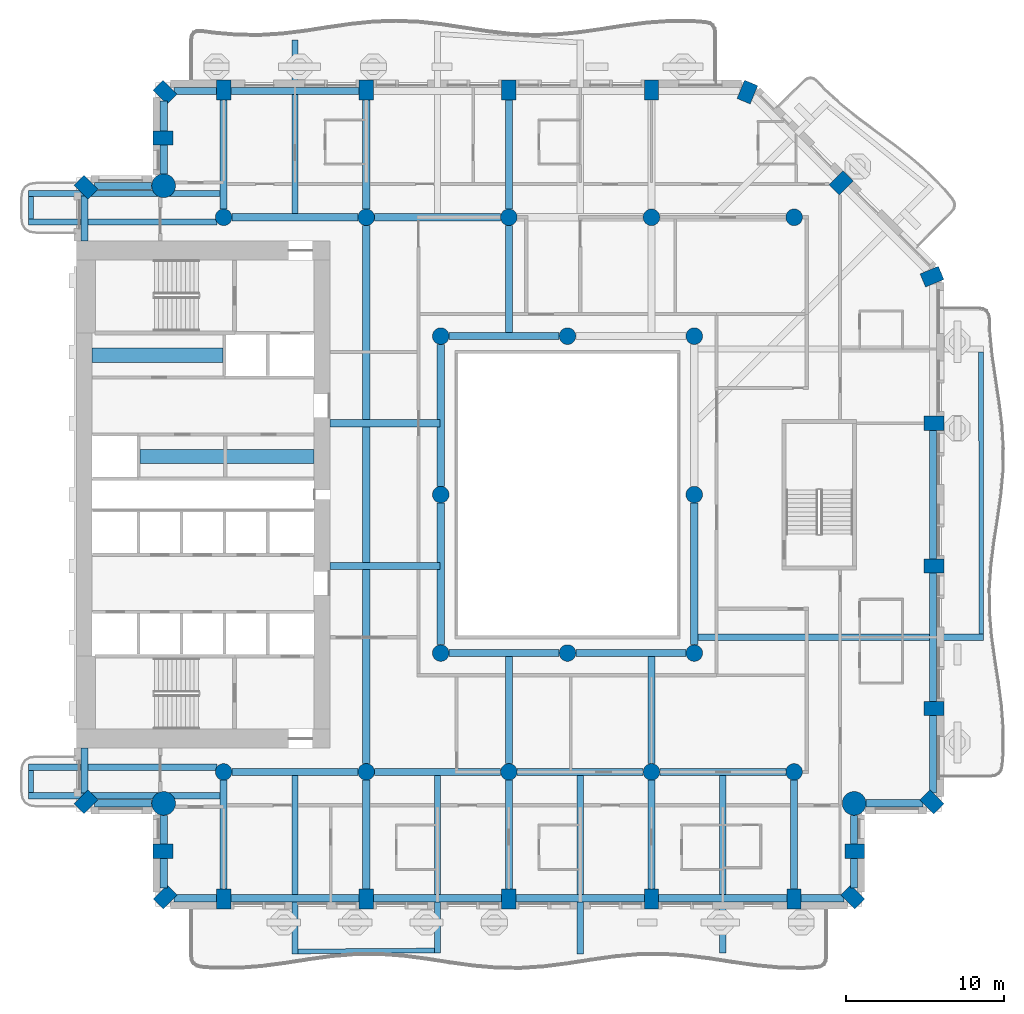
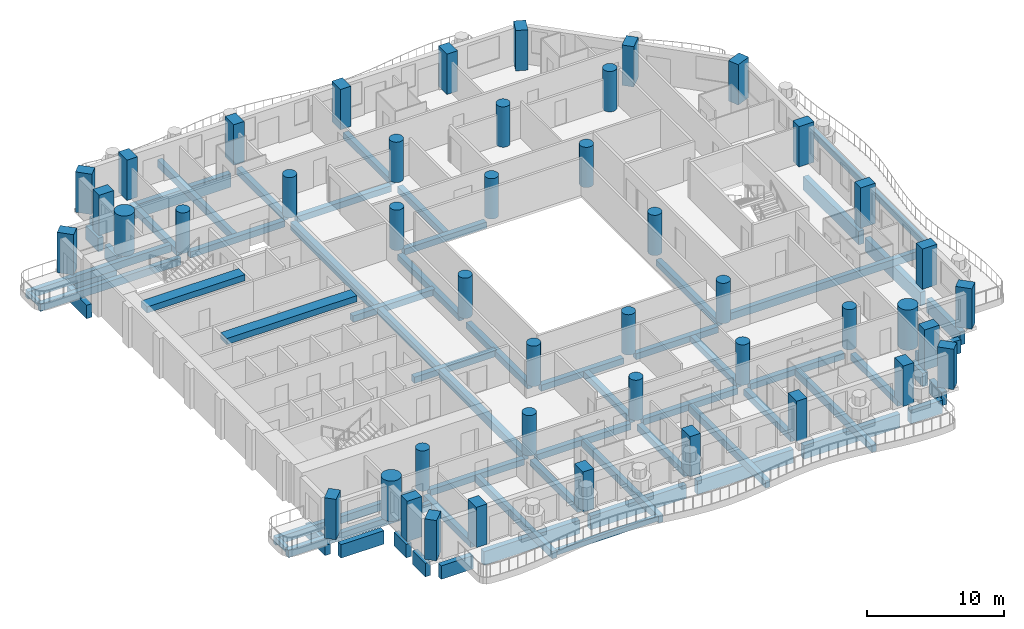
# One storey, part 1 of 19: 66 beams, 45 columns.
"""IFC4 building model written with IfcOpenShell, lengths in metres."""

from ifc_helpers import new_model, si_unit, direction, frame, origin, origin_2d, place, context, subcontext, project, spatial, rectangle, circle, extrude, material, material_profile, profile_set, type_object, element, save


model = new_model("IFC4")

# Units and contexts
model_context = context("Model", 3, precision=1e-05, world=origin(), true_north=direction((0.0, 1.0)))
body_context = subcontext(model_context, "Body", "Model", "MODEL_VIEW")
ifc_project = project(units=[si_unit("LENGTHUNIT", "METRE"), si_unit("AREAUNIT", "SQUARE_METRE"), si_unit("VOLUMEUNIT", "CUBIC_METRE"), si_unit("PLANEANGLEUNIT", "RADIAN"), si_unit("MASSUNIT", "GRAM", prefix="KILO")], contexts=[model_context])

# Site, building, storey
site_placement = place(None, origin())
site = spatial("IfcSite", under=ifc_project, at=site_placement, CompositionType="ELEMENT")
building_placement = place(site_placement, origin())
building = spatial("IfcBuilding", under=site, at=building_placement, Name="Cypress Arch Tower", CompositionType="ELEMENT")
storey_placement = place(building_placement, frame((0.0, 0.0, 138.300048828125)))
storey = spatial("IfcBuildingStorey", under=building, at=storey_placement, Name="L30", CompositionType="ELEMENT", Elevation=138.300048828125)

# Columns
ifc_material_1 = material(Name="Concrete C80/95", Category="concrete")
ifc_material_profile_1 = material_profile(ifc_material_1, rectangle(XDim=0.89990234375, YDim=1.25, at=origin_2d()), Name="RC 900x1250")
ifc_profile_set_1 = profile_set([ifc_material_profile_1], Name="Concrete C80/95")
column_type_1 = type_object("IfcColumnType", Name="Column RC 900x1250 Concrete C80/95", PredefinedType="COLUMN", material=ifc_profile_set_1)
for number, where, z_axis, x_axis, name in (
    (1, (-29.389892578125, 19.389892578125, 0.0), (0.0, 0.0, 1.0), (-0.707106781187, -0.707106781187, 0.0), "Column L30 CA00"),
    (2, (-29.389892578125, -19.389892578125, 0.0), (0.0, 0.0, 1.0), (0.707106781187, -0.707106781187, 0.0), "Column L30 CA01"),
    (3, (-24.52490234375, -22.5, 0.0), (0.0, 0.0, 1.0), (0.0, -1.0, 0.0), "Column L30 CA03"),
    (4, (-24.389892578125, -25.389892578125, 0.0), (0.0, 0.0, 1.0), (0.707106781187, -0.707106781187, 0.0), "Column L30 CA04"),
    (5, (-20.699951171875, -25.52490234375, 0.0), (0.0, 0.0, 1.0), (1.0, 0.0, 0.0), "Column L30 CA05"),
    (6, (-11.699951171875, -25.52490234375, 0.0), (0.0, 0.0, 1.0), (1.0, 0.0, 0.0), "Column L30 CA06"),
    (7, (-2.699951171875, -25.52490234375, 0.0), (0.0, 0.0, 1.0), (1.0, 0.0, 0.0), "Column L30 CA07"),
    (8, (6.300048828125, -25.52490234375, 0.0), (0.0, 0.0, 1.0), (1.0, 0.0, 0.0), "Column L30 CA08"),
    (9, (15.300048828125, -25.52490234375, 0.0), (0.0, 0.0, 1.0), (1.0, 0.0, 0.0), "Column L30 CA09"),
    (10, (18.98974609375, -25.389892578125, 0.0), (0.0, 0.0, 1.0), (0.707106781187, 0.707106781187, 0.0), "Column L30 CA10"),
    (11, (19.125, -22.5, 0.0), (0.0, 0.0, 1.0), (0.0, 1.0, 0.0), "Column L30 CA11"),
    (12, (23.98974609375, -19.389892578125, 0.0), (0.0, 0.0, 1.0), (0.707106781187, 0.707106781187, 0.0), "Column L30 CA13"),
    (13, (24.125, -13.5, 0.0), (0.0, 0.0, 1.0), (0.0, 1.0, 0.0), "Column L30 CA14"),
    (14, (24.125, -4.5, 0.0), (0.0, 0.0, 1.0), (0.0, 1.0, 0.0), "Column L30 CA15"),
    (15, (24.125, 4.5, 0.0), (0.0, 0.0, 1.0), (0.0, 1.0, 0.0), "Column L30 CA16"),
    (16, (24.00048828125, 13.751708984375, 0.0), (0.0, 0.0, 1.0), (-0.382683496864, 0.923879505795, 0.0), "Column L30 CA17"),
    (17, (18.26416015625, 19.6640625, 0.0), (0.0, 0.0, 1.0), (-0.707106781187, 0.707106781187, 0.0), "Column L30 CA18"),
    (18, (12.3515625, 25.400390625, 0.0), (0.0, 0.0, 1.0), (-0.923879505795, 0.382683496864, 0.0), "Column L30 CA19"),
    (19, (6.300048828125, 25.52490234375, 0.0), (0.0, 0.0, 1.0), (-1.0, 0.0, 0.0), "Column L30 CA20"),
    (20, (-2.699951171875, 25.52490234375, 0.0), (0.0, 0.0, 1.0), (-1.0, 0.0, 0.0), "Column L30 CA21"),
    (21, (-11.699951171875, 25.52490234375, 0.0), (0.0, 0.0, 1.0), (-1.0, 0.0, 0.0), "Column L30 CA22"),
    (22, (-20.699951171875, 25.52490234375, 0.0), (0.0, 0.0, 1.0), (-1.0, 0.0, 0.0), "Column L30 CA23"),
    (23, (-24.389892578125, 25.389892578125, 0.0), (0.0, 0.0, 1.0), (-0.707106781187, -0.707106781187, 0.0), "Column L30 CA24"),
    (24, (-24.52490234375, 22.5, 0.0), (0.0, 0.0, 1.0), (0.0, -1.0, 0.0), "Column L30 CA25"),
):
    element("IfcColumn", number, at=place(storey_placement, frame(where, z_axis=z_axis, x_axis=x_axis)), inside=storey, type_object=column_type_1, Name=name, PredefinedType="COLUMN", context=body_context, shape_type="SweptSolid", body=[
        extrude(rectangle(XDim=0.89990234375, YDim=1.25, at=origin_2d()), origin(), (0.0, 0.0, 1.0), 3.599853515625),
    ])
ifc_material_2 = material(Name="Concrete C70/85", Category="concrete")
ifc_material_profile_2 = material_profile(ifc_material_2, circle(Radius=0.52490234375, at=origin_2d()), Name="RC D1050")
ifc_profile_set_2 = profile_set([ifc_material_profile_2], Name="Concrete C70/85")
column_type_2 = type_object("IfcColumnType", Name="Column RC D1050 Concrete C70/85", PredefinedType="COLUMN", material=ifc_profile_set_2)
for number, where, z_axis, x_axis, name in (
    (25, (-20.699951171875, -17.5, 0.0), (0.0, 0.0, 1.0), (1.0, 0.0, 0.0), "Column L30 CIC-L30-CI3S"),
    (26, (-11.699951171875, -17.5, 0.0), (0.0, 0.0, 1.0), (1.0, 0.0, 0.0), "Column L30 CIC-L30-CI4S"),
    (27, (-2.699951171875, -17.5, 0.0), (0.0, 0.0, 1.0), (1.0, 0.0, 0.0), "Column L30 CIC-L30-CI5S"),
    (28, (6.300048828125, -17.5, 0.0), (0.0, 0.0, 1.0), (1.0, 0.0, 0.0), "Column L30 CIC-L30-CI6S"),
    (29, (15.300048828125, -17.5, 0.0), (0.0, 0.0, 1.0), (1.0, 0.0, 0.0), "Column L30 CIC-L30-CI7S"),
    (30, (-20.699951171875, 17.5, 0.0), (0.0, 0.0, 1.0), (1.0, 0.0, 0.0), "Column L30 CIC-L30-CI3N"),
    (31, (-11.699951171875, 17.5, 0.0), (0.0, 0.0, 1.0), (1.0, 0.0, 0.0), "Column L30 CIC-L30-CI4N"),
    (32, (-2.699951171875, 17.5, 0.0), (0.0, 0.0, 1.0), (1.0, 0.0, 0.0), "Column L30 CIC-L30-CI5N"),
    (33, (6.300048828125, 17.5, 0.0), (0.0, 0.0, 1.0), (1.0, 0.0, 0.0), "Column L30 CIC-L30-CI6N"),
    (34, (15.300048828125, 17.5, 0.0), (0.0, 0.0, 1.0), (1.0, 0.0, 0.0), "Column L30 CIC-L30-CI7N"),
    (35, (-7.0, -10.0, 0.0), (0.0, 0.0, 1.0), (1.0, 0.0, 0.0), "Column L30 RNG-L30-G-7-10"),
    (36, (-7.0, 0.0, 0.0), (0.0, 0.0, 1.0), (1.0, 0.0, 0.0), "Column L30 RNG-L30-G-7+0"),
    (37, (-7.0, 10.0, 0.0), (0.0, 0.0, 1.0), (1.0, 0.0, 0.0), "Column L30 RNG-L30-G-7+10"),
    (38, (1.0, -10.0, 0.0), (0.0, 0.0, 1.0), (1.0, 0.0, 0.0), "Column L30 RNG-L30-G+1-10"),
    (39, (1.0, 10.0, 0.0), (0.0, 0.0, 1.0), (1.0, 0.0, 0.0), "Column L30 RNG-L30-G+1+10"),
    (40, (9.0, -10.0, 0.0), (0.0, 0.0, 1.0), (1.0, 0.0, 0.0), "Column L30 RNG-L30-G+9-10"),
    (41, (9.0, 0.0, 0.0), (0.0, 0.0, 1.0), (1.0, 0.0, 0.0), "Column L30 RNG-L30-G+9+0"),
    (42, (9.0, 10.0, 0.0), (0.0, 0.0, 1.0), (1.0, 0.0, 0.0), "Column L30 RNG-L30-G+9+10"),
):
    element("IfcColumn", number, at=place(storey_placement, frame(where, z_axis=z_axis, x_axis=x_axis)), inside=storey, type_object=column_type_2, Name=name, PredefinedType="COLUMN", context=body_context, shape_type="SweptSolid", body=[
        extrude(circle(Radius=0.52490234375, at=origin_2d()), origin(), (0.0, 0.0, 1.0), 3.599853515625),
    ])
ifc_material_3 = material(Name="Concrete C80/95", Category="concrete")
ifc_material_profile_3 = material_profile(ifc_material_3, circle(Radius=0.75, at=origin_2d()), Name="RC D1500")
ifc_profile_set_3 = profile_set([ifc_material_profile_3], Name="Concrete C80/95")
column_type_3 = type_object("IfcColumnType", Name="Mega-column RC D1500 Concrete C80/95", PredefinedType="COLUMN", material=ifc_profile_set_3)
for number, where, z_axis, x_axis, name in (
    (43, (-24.48779296875, -19.48779296875, 0.0), (0.0, 0.0, 1.0), (1.0, 0.0, 0.0), "Column L30 CA02"),
    (44, (19.087890625, -19.48779296875, 0.0), (0.0, 0.0, 1.0), (1.0, 0.0, 0.0), "Column L30 CA12"),
    (45, (-24.48779296875, 19.48779296875, 0.0), (0.0, 0.0, 1.0), (1.0, 0.0, 0.0), "Column L30 CA26"),
):
    element("IfcColumn", number, at=place(storey_placement, frame(where, z_axis=z_axis, x_axis=x_axis)), inside=storey, type_object=column_type_3, Name=name, PredefinedType="COLUMN", context=body_context, shape_type="SweptSolid", body=[
        extrude(circle(Radius=0.75, at=origin_2d()), origin(), (0.0, 0.0, 1.0), 3.599853515625),
    ])

# Beams
ifc_material_4 = material(Name="Concrete C50/60", Category="concrete")
ifc_material_profile_4 = material_profile(ifc_material_4, rectangle(XDim=0.300048828125, YDim=0.449951171875, at=origin_2d()), Name="RC 300x450")
ifc_profile_set_4 = profile_set([ifc_material_profile_4], Name="Concrete C50/60")
beam_type_1 = type_object("IfcBeamType", Name="Balcony edge beam RC 300x450 Concrete C50/60", PredefinedType="BEAM", material=ifc_profile_set_4)
beam_1_placement = place(storey_placement, frame((-16.0, -28.830810546875, -0.525146484375), z_axis=(0.999974615171, 0.007125237847, 0.0), x_axis=(-0.007125237847, 0.999974615171, 0.0)))
element("IfcBeam", 46, at=beam_1_placement, inside=storey, type_object=beam_type_1, Name="Balcony edge beam L30 A03", PredefinedType="BEAM", context=body_context, shape_type="SweptSolid", body=[
    extrude(rectangle(XDim=0.300048828125, YDim=0.449951171875, at=origin_2d()), origin(), (0.0, 0.0, 1.0), 8.600341796875),
])
ifc_material_5 = material(Name="Concrete C50/60", Category="concrete")
ifc_material_profile_5 = material_profile(ifc_material_5, rectangle(XDim=0.300048828125, YDim=0.64990234375, at=origin_2d()), Name="RC 300x650")
ifc_profile_set_5 = profile_set([ifc_material_profile_5], Name="Concrete C50/60")
beam_type_2 = type_object("IfcBeamType", Name="Balcony edge beam RC 300x650 Concrete C50/60", PredefinedType="BEAM", material=ifc_profile_set_5)
beam_2_placement = place(storey_placement, frame((27.11279296875, -8.800048828125, -0.625), z_axis=(-0.000864683518, 0.999999626161, 0.0), x_axis=(-0.999999626161, -0.000864683518, 0.0)))
element("IfcBeam", 47, at=beam_2_placement, inside=storey, type_object=beam_type_2, Name="Balcony edge beam L30 A06", PredefinedType="BEAM", context=body_context, shape_type="SweptSolid", body=[
    extrude(rectangle(XDim=0.300048828125, YDim=0.64990234375, at=origin_2d()), origin(), (0.0, 0.0, 1.0), 17.787841796875),
])
ifc_material_6 = material(Name="Concrete C50/60", Category="concrete")
ifc_material_profile_6 = material_profile(ifc_material_6, rectangle(XDim=0.300048828125, YDim=0.39990234375, at=origin_2d()), Name="RC 300x400")
ifc_profile_set_6 = profile_set([ifc_material_profile_6], Name="Concrete C50/60")
beam_type_3 = type_object("IfcBeamType", Name="Balcony stub beam RC 300x400 Concrete C50/60", PredefinedType="BEAM", material=ifc_profile_set_6)
for number, where, z_axis, x_axis, name in (
    (48, (-32.85009765625, 18.800048828125, -0.5), (0.0, -1.0, 0.0), (1.0, 0.0, 0.0), "Balcony stub beam L30 A00W0"),
    (49, (-32.85009765625, -17.39990234375, -0.5), (0.0, -1.0, 0.0), (1.0, 0.0, 0.0), "Balcony stub beam L30 A00W1"),
):
    element("IfcBeam", number, at=place(storey_placement, frame(where, z_axis=z_axis, x_axis=x_axis)), inside=storey, type_object=beam_type_3, Name=name, PredefinedType="BEAM", context=body_context, shape_type="SweptSolid", body=[
        extrude(rectangle(XDim=0.300048828125, YDim=0.39990234375, at=origin_2d()), origin(), (0.0, 0.0, 1.0), 1.400146484375),
    ])
ifc_material_7 = material(Name="Concrete C50/60", Category="concrete")
ifc_material_profile_7 = material_profile(ifc_material_7, rectangle(XDim=0.39990234375, YDim=0.64990234375, at=origin_2d()), Name="RC 400x650")
ifc_profile_set_7 = profile_set([ifc_material_profile_7], Name="Concrete C50/60")
beam_type_4 = type_object("IfcBeamType", Name="Cantilever beam RC 400x650 Concrete C50/60", PredefinedType="BEAM", material=ifc_profile_set_7)
beam_3_placement = place(storey_placement, frame((-20.925048828125, 19.0, -0.625), z_axis=(-1.0, 0.0, 0.0), x_axis=(0.0, -1.0, 0.0)))
element("IfcBeam", 50, at=beam_3_placement, inside=storey, type_object=beam_type_4, Name="Cantilever beam L30 A00 1", PredefinedType="BEAM", context=body_context, shape_type="SweptSolid", body=[
    extrude(rectangle(XDim=0.39990234375, YDim=0.64990234375, at=origin_2d()), origin(), (0.0, 0.0, 1.0), 12.074951171875),
])
for number, where, z_axis, x_axis, name in (
    (51, (-21.130615234375, 17.199951171875, -0.625), (-1.0, 0.0, 0.0), (0.0, -1.0, 0.0), "Cantilever beam L30 A00 2"),
    (52, (-21.130615234375, -17.199951171875, -0.625), (-1.0, 0.0, 0.0), (0.0, -1.0, 0.0), "Cantilever beam L30 A00 1"),
):
    element("IfcBeam", number, at=place(storey_placement, frame(where, z_axis=z_axis, x_axis=x_axis)), inside=storey, type_object=beam_type_4, Name=name, PredefinedType="BEAM", context=body_context, shape_type="SweptSolid", body=[
        extrude(rectangle(XDim=0.39990234375, YDim=0.64990234375, at=origin_2d()), origin(), (0.0, 0.0, 1.0), 11.869384765625),
    ])
beam_4_placement = place(storey_placement, frame((-20.925048828125, -19.0, -0.625), z_axis=(-1.0, 0.0, 0.0), x_axis=(0.0, -1.0, 0.0)))
element("IfcBeam", 53, at=beam_4_placement, inside=storey, type_object=beam_type_4, Name="Cantilever beam L30 A00 2", PredefinedType="BEAM", context=body_context, shape_type="SweptSolid", body=[
    extrude(rectangle(XDim=0.39990234375, YDim=0.64990234375, at=origin_2d()), origin(), (0.0, 0.0, 1.0), 12.074951171875),
])
beam_5_placement = place(storey_placement, frame((-16.199951171875, -17.72509765625, -0.625), z_axis=(0.0, -1.0, 0.0), x_axis=(1.0, 0.0, 0.0)))
element("IfcBeam", 54, at=beam_5_placement, inside=storey, type_object=beam_type_4, Name="Cantilever beam L30 A03 1", PredefinedType="BEAM", context=body_context, shape_type="SweptSolid", body=[
    extrude(rectangle(XDim=0.39990234375, YDim=0.64990234375, at=origin_2d()), origin(), (0.0, 0.0, 1.0), 11.255615234375),
])
beam_6_placement = place(storey_placement, frame((-7.199951171875, -17.72509765625, -0.625), z_axis=(0.0, -1.0, 0.0), x_axis=(1.0, 0.0, 0.0)))
element("IfcBeam", 55, at=beam_6_placement, inside=storey, type_object=beam_type_4, Name="Cantilever beam L30 A03 2", PredefinedType="BEAM", context=body_context, shape_type="SweptSolid", body=[
    extrude(rectangle(XDim=0.39990234375, YDim=0.64990234375, at=origin_2d()), origin(), (0.0, 0.0, 1.0), 11.1943359375),
])
beam_7_placement = place(storey_placement, frame((1.800048828125, -17.72509765625, -0.625), z_axis=(0.0, -1.0, 0.0), x_axis=(1.0, 0.0, 0.0)))
element("IfcBeam", 56, at=beam_7_placement, inside=storey, type_object=beam_type_4, Name="Cantilever beam L30 A03 3", PredefinedType="BEAM", context=body_context, shape_type="SweptSolid", body=[
    extrude(rectangle(XDim=0.39990234375, YDim=0.64990234375, at=origin_2d()), origin(), (0.0, 0.0, 1.0), 11.255126953125),
])
beam_8_placement = place(storey_placement, frame((10.800048828125, -17.72509765625, -0.625), z_axis=(0.0, -1.0, 0.0), x_axis=(1.0, 0.0, 0.0)))
element("IfcBeam", 57, at=beam_8_placement, inside=storey, type_object=beam_type_4, Name="Cantilever beam L30 A03 4", PredefinedType="BEAM", context=body_context, shape_type="SweptSolid", body=[
    extrude(rectangle(XDim=0.39990234375, YDim=0.64990234375, at=origin_2d()), origin(), (0.0, 0.0, 1.0), 11.195068359375),
])
beam_9_placement = place(storey_placement, frame((9.22509765625, -9.0, -0.625), z_axis=(1.0, 0.0, 0.0), x_axis=(0.0, 1.0, 0.0)))
element("IfcBeam", 58, at=beam_9_placement, inside=storey, type_object=beam_type_4, Name="Cantilever beam L30 A06 1", PredefinedType="BEAM", context=body_context, shape_type="SweptSolid", body=[
    extrude(rectangle(XDim=0.39990234375, YDim=0.64990234375, at=origin_2d()), origin(), (0.0, 0.0, 1.0), 18.03759765625),
])
beam_10_placement = place(storey_placement, frame((-16.199951171875, 17.72509765625, -0.625), z_axis=(0.0, 1.0, 0.0), x_axis=(-1.0, 0.0, 0.0)))
element("IfcBeam", 59, at=beam_10_placement, inside=storey, type_object=beam_type_4, Name="Cantilever beam L30 A08 3", PredefinedType="BEAM", context=body_context, shape_type="SweptSolid", body=[
    extrude(rectangle(XDim=0.39990234375, YDim=0.64990234375, at=origin_2d()), origin(), (0.0, 0.0, 1.0), 10.96875),
])
ifc_material_8 = material(Name="Concrete C50/60", Category="concrete")
ifc_material_profile_8 = material_profile(ifc_material_8, rectangle(XDim=0.449951171875, YDim=0.550048828125, at=origin_2d()), Name="RC 450x550")
ifc_profile_set_8 = profile_set([ifc_material_profile_8], Name="Concrete C50/60")
beam_type_5 = type_object("IfcBeamType", Name="Floor beam RC 450x550 Concrete C50/60", PredefinedType="BEAM", material=ifc_profile_set_8)
for number, where, z_axis, x_axis, name in (
    (60, (-7.0, -9.47509765625, -0.574951171875), (0.0, 1.0, 0.0), (-1.0, 0.0, 0.0), "Floor beam L30 RB001"),
    (61, (-7.0, 0.52490234375, -0.574951171875), (0.0, 1.0, 0.0), (-1.0, 0.0, 0.0), "Floor beam L30 RB002"),
    (62, (9.0, -9.47509765625, -0.574951171875), (0.0, 1.0, 0.0), (-1.0, 0.0, 0.0), "Floor beam L30 RB003"),
):
    element("IfcBeam", number, at=place(storey_placement, frame(where, z_axis=z_axis, x_axis=x_axis)), inside=storey, type_object=beam_type_5, Name=name, PredefinedType="BEAM", context=body_context, shape_type="SweptSolid", body=[
        extrude(rectangle(XDim=0.449951171875, YDim=0.550048828125, at=origin_2d()), origin(), (0.0, 0.0, 1.0), 8.9501953125),
    ])
for number, where, z_axis, x_axis, name in (
    (63, (-6.47509765625, -10.0, -0.574951171875), (1.0, 0.0, 0.0), (0.0, 1.0, 0.0), "Floor beam L30 RB005"),
    (64, (1.52490234375, -10.0, -0.574951171875), (1.0, 0.0, 0.0), (0.0, 1.0, 0.0), "Floor beam L30 RB006"),
    (65, (-6.47509765625, 10.0, -0.574951171875), (1.0, 0.0, 0.0), (0.0, 1.0, 0.0), "Floor beam L30 RB007"),
):
    element("IfcBeam", number, at=place(storey_placement, frame(where, z_axis=z_axis, x_axis=x_axis)), inside=storey, type_object=beam_type_5, Name=name, PredefinedType="BEAM", context=body_context, shape_type="SweptSolid", body=[
        extrude(rectangle(XDim=0.449951171875, YDim=0.550048828125, at=origin_2d()), origin(), (0.0, 0.0, 1.0), 6.9501953125),
    ])
for number, where, z_axis, x_axis, name in (
    (66, (-20.175048828125, -17.5, -0.574951171875), (1.0, 0.0, 0.0), (0.0, 1.0, 0.0), "Floor beam L30 FB009"),
    (67, (-11.175048828125, -17.5, -0.574951171875), (1.0, 0.0, 0.0), (0.0, 1.0, 0.0), "Floor beam L30 FB010"),
    (68, (-2.175048828125, -17.5, -0.574951171875), (1.0, 0.0, 0.0), (0.0, 1.0, 0.0), "Floor beam L30 FB011"),
    (69, (6.824951171875, -17.5, -0.574951171875), (1.0, 0.0, 0.0), (0.0, 1.0, 0.0), "Floor beam L30 FB012"),
):
    element("IfcBeam", number, at=place(storey_placement, frame(where, z_axis=z_axis, x_axis=x_axis)), inside=storey, type_object=beam_type_5, Name=name, PredefinedType="BEAM", context=body_context, shape_type="SweptSolid", body=[
        extrude(rectangle(XDim=0.449951171875, YDim=0.550048828125, at=origin_2d()), origin(), (0.0, 0.0, 1.0), 7.949951171875),
    ])
for number, where, z_axis, x_axis, name in (
    (70, (-14.0, -4.5, -0.574951171875), (1.0, 0.0, 0.0), (0.0, 1.0, 0.0), "Floor beam L30 FB013"),
    (71, (-14.0, 4.5, -0.574951171875), (1.0, 0.0, 0.0), (0.0, 1.0, 0.0), "Floor beam L30 FB014"),
):
    element("IfcBeam", number, at=place(storey_placement, frame(where, z_axis=z_axis, x_axis=x_axis)), inside=storey, type_object=beam_type_5, Name=name, PredefinedType="BEAM", context=body_context, shape_type="SweptSolid", body=[
        extrude(rectangle(XDim=0.449951171875, YDim=0.550048828125, at=origin_2d()), origin(), (0.0, 0.0, 1.0), 6.949951171875),
    ])
for number, where, z_axis, x_axis, name in (
    (72, (-20.175048828125, 17.5, -0.574951171875), (1.0, 0.0, 0.0), (0.0, 1.0, 0.0), "Floor beam L30 FB015"),
    (73, (-11.175048828125, 17.5, -0.574951171875), (1.0, 0.0, 0.0), (0.0, 1.0, 0.0), "Floor beam L30 FB016"),
):
    element("IfcBeam", number, at=place(storey_placement, frame(where, z_axis=z_axis, x_axis=x_axis)), inside=storey, type_object=beam_type_5, Name=name, PredefinedType="BEAM", context=body_context, shape_type="SweptSolid", body=[
        extrude(rectangle(XDim=0.449951171875, YDim=0.550048828125, at=origin_2d()), origin(), (0.0, 0.0, 1.0), 7.949951171875),
    ])
for number, where, z_axis, x_axis, name in (
    (74, (-20.699951171875, -24.89990234375, -0.574951171875), (0.0, 1.0, 0.0), (-1.0, 0.0, 0.0), "Floor beam L30 FB019"),
    (75, (-20.699951171875, 18.02490234375, -0.574951171875), (0.0, 1.0, 0.0), (-1.0, 0.0, 0.0), "Floor beam L30 FB020"),
    (76, (-11.699951171875, -24.89990234375, -0.574951171875), (0.0, 1.0, 0.0), (-1.0, 0.0, 0.0), "Floor beam L30 FB021"),
):
    element("IfcBeam", number, at=place(storey_placement, frame(where, z_axis=z_axis, x_axis=x_axis)), inside=storey, type_object=beam_type_5, Name=name, PredefinedType="BEAM", context=body_context, shape_type="SweptSolid", body=[
        extrude(rectangle(XDim=0.449951171875, YDim=0.550048828125, at=origin_2d()), origin(), (0.0, 0.0, 1.0), 6.875),
    ])
beam_11_placement = place(storey_placement, frame((-11.699951171875, -4.27490234375, -0.574951171875), z_axis=(0.0, 1.0, 0.0), x_axis=(-1.0, 0.0, 0.0)))
element("IfcBeam", 77, at=beam_11_placement, inside=storey, type_object=beam_type_5, Name="Floor beam L30 FB023", PredefinedType="BEAM", context=body_context, shape_type="SweptSolid", body=[
    extrude(rectangle(XDim=0.449951171875, YDim=0.550048828125, at=origin_2d()), origin(), (0.0, 0.0, 1.0), 8.5498046875),
])
for number, where, z_axis, x_axis, name in (
    (78, (-11.699951171875, 18.02490234375, -0.574951171875), (0.0, 1.0, 0.0), (-1.0, 0.0, 0.0), "Floor beam L30 FB025"),
    (79, (-2.699951171875, -24.89990234375, -0.574951171875), (0.0, 1.0, 0.0), (-1.0, 0.0, 0.0), "Floor beam L30 FB026"),
):
    element("IfcBeam", number, at=place(storey_placement, frame(where, z_axis=z_axis, x_axis=x_axis)), inside=storey, type_object=beam_type_5, Name=name, PredefinedType="BEAM", context=body_context, shape_type="SweptSolid", body=[
        extrude(rectangle(XDim=0.449951171875, YDim=0.550048828125, at=origin_2d()), origin(), (0.0, 0.0, 1.0), 6.875),
    ])
for number, where, z_axis, x_axis, name in (
    (80, (-2.699951171875, -16.97509765625, -0.574951171875), (0.0, 1.0, 0.0), (-1.0, 0.0, 0.0), "Floor beam L30 FB027"),
    (81, (-2.699951171875, 10.22509765625, -0.574951171875), (0.0, 1.0, 0.0), (-1.0, 0.0, 0.0), "Floor beam L30 FB028"),
):
    element("IfcBeam", number, at=place(storey_placement, frame(where, z_axis=z_axis, x_axis=x_axis)), inside=storey, type_object=beam_type_5, Name=name, PredefinedType="BEAM", context=body_context, shape_type="SweptSolid", body=[
        extrude(rectangle(XDim=0.449951171875, YDim=0.550048828125, at=origin_2d()), origin(), (0.0, 0.0, 1.0), 6.75),
    ])
for number, where, z_axis, x_axis, name in (
    (82, (-2.699951171875, 18.02490234375, -0.574951171875), (0.0, 1.0, 0.0), (-1.0, 0.0, 0.0), "Floor beam L30 FB029"),
    (83, (6.300048828125, -24.89990234375, -0.574951171875), (0.0, 1.0, 0.0), (-1.0, 0.0, 0.0), "Floor beam L30 FB030"),
):
    element("IfcBeam", number, at=place(storey_placement, frame(where, z_axis=z_axis, x_axis=x_axis)), inside=storey, type_object=beam_type_5, Name=name, PredefinedType="BEAM", context=body_context, shape_type="SweptSolid", body=[
        extrude(rectangle(XDim=0.449951171875, YDim=0.550048828125, at=origin_2d()), origin(), (0.0, 0.0, 1.0), 6.875),
    ])
beam_12_placement = place(storey_placement, frame((6.300048828125, -16.97509765625, -0.574951171875), z_axis=(0.0, 1.0, 0.0), x_axis=(-1.0, 0.0, 0.0)))
element("IfcBeam", 84, at=beam_12_placement, inside=storey, type_object=beam_type_5, Name="Floor beam L30 FB031", PredefinedType="BEAM", context=body_context, shape_type="SweptSolid", body=[
    extrude(rectangle(XDim=0.449951171875, YDim=0.550048828125, at=origin_2d()), origin(), (0.0, 0.0, 1.0), 6.75),
])
beam_13_placement = place(storey_placement, frame((15.300048828125, -24.89990234375, -0.574951171875), z_axis=(0.0, 1.0, 0.0), x_axis=(-1.0, 0.0, 0.0)))
element("IfcBeam", 85, at=beam_13_placement, inside=storey, type_object=beam_type_5, Name="Floor beam L30 FB034", PredefinedType="BEAM", context=body_context, shape_type="SweptSolid", body=[
    extrude(rectangle(XDim=0.449951171875, YDim=0.550048828125, at=origin_2d()), origin(), (0.0, 0.0, 1.0), 6.875),
])
ifc_material_9 = material(Name="Concrete C50/60", Category="concrete")
ifc_material_profile_9 = material_profile(ifc_material_9, rectangle(XDim=0.5, YDim=0.699951171875, at=origin_2d()), Name="RC 500x700")
ifc_profile_set_9 = profile_set([ifc_material_profile_9], Name="Concrete C50/60")
beam_type_6 = type_object("IfcBeamType", Name="Floor beam RC 500x700 Concrete C50/60", PredefinedType="BEAM", material=ifc_profile_set_9)
for number, where, z_axis, x_axis, name in (
    (86, (-11.699951171875, -16.97509765625, -0.650146484375), (0.0, 1.0, 0.0), (-1.0, 0.0, 0.0), "Floor beam L30 FB022"),
    (87, (-11.699951171875, 4.72509765625, -0.650146484375), (0.0, 1.0, 0.0), (-1.0, 0.0, 0.0), "Floor beam L30 FB024"),
):
    element("IfcBeam", number, at=place(storey_placement, frame(where, z_axis=z_axis, x_axis=x_axis)), inside=storey, type_object=beam_type_6, Name=name, PredefinedType="BEAM", context=body_context, shape_type="SweptSolid", body=[
        extrude(rectangle(XDim=0.5, YDim=0.699951171875, at=origin_2d()), origin(), (0.0, 0.0, 1.0), 12.25),
    ])
ifc_material_10 = material(Name="Concrete C50/60", Category="concrete")
ifc_material_profile_10 = material_profile(ifc_material_10, rectangle(XDim=0.89990234375, YDim=0.550048828125, at=origin_2d()), Name="RC 900x550")
ifc_profile_set_10 = profile_set([ifc_material_profile_10], Name="Concrete C50/60")
beam_type_7 = type_object("IfcBeamType", Name="Pit slab girder RC 900x550 Concrete C50/60", PredefinedType="BEAM", material=ifc_profile_set_10)
beam_14_placement = place(storey_placement, frame((-25.97998046875, 2.39990234375, 3.02490234375), z_axis=(1.0, 0.0, 0.0), x_axis=(0.0, 1.0, 0.0)))
element("IfcBeam", 88, at=beam_14_placement, inside=storey, type_object=beam_type_7, Name="Pit slab girder L30", PredefinedType="BEAM", context=body_context, shape_type="SweptSolid", body=[
    extrude(rectangle(XDim=0.89990234375, YDim=0.550048828125, at=origin_2d()), origin(), (0.0, 0.0, 1.0), 10.97998046875),
])
beam_15_placement = place(storey_placement, frame((-29.0, 8.800048828125, 3.02490234375), z_axis=(1.0, 0.0, 0.0), x_axis=(0.0, 1.0, 0.0)))
element("IfcBeam", 89, at=beam_15_placement, inside=storey, type_object=beam_type_7, Name="Pit slab girder L30", PredefinedType="BEAM", context=body_context, shape_type="SweptSolid", body=[
    extrude(rectangle(XDim=0.89990234375, YDim=0.550048828125, at=origin_2d()), origin(), (0.0, 0.0, 1.0), 8.260009765625),
])
ifc_material_11 = material(Name="Concrete C50/60", Category="concrete")
ifc_material_profile_11 = material_profile(ifc_material_11, rectangle(XDim=0.449951171875, YDim=1.199951171875, at=origin_2d()), Name="RC 450x1200")
ifc_profile_set_11 = profile_set([ifc_material_profile_11], Name="Concrete C50/60")
beam_type_8 = type_object("IfcBeamType", Name="Spandrel beam RC 450x1200 Concrete C50/60", PredefinedType="SPANDREL", material=ifc_profile_set_11)
for number, where, z_axis, x_axis, name in (
    (90, (-29.47509765625, 18.838623046875, -1.550048828125), (0.0, -1.0, 0.0), (1.0, 0.0, 0.0), "Spandrel beam L30 BA00-0"),
    (91, (-29.47509765625, -16.0, -1.550048828125), (0.0, -1.0, 0.0), (1.0, 0.0, 0.0), "Spandrel beam L30 BA00-0"),
):
    element("IfcBeam", number, at=place(storey_placement, frame(where, z_axis=z_axis, x_axis=x_axis)), inside=storey, type_object=beam_type_8, Name=name, PredefinedType="SPANDREL", context=body_context, shape_type="SweptSolid", body=[
        extrude(rectangle(XDim=0.449951171875, YDim=1.199951171875, at=origin_2d()), origin(), (0.0, 0.0, 1.0), 2.838623046875),
    ])
beam_16_placement = place(storey_placement, frame((-28.838623046875, -19.47509765625, -1.550048828125), z_axis=(1.0, 0.0, 0.0), x_axis=(0.0, 1.0, 0.0)))
element("IfcBeam", 92, at=beam_16_placement, inside=storey, type_object=beam_type_8, Name="Spandrel beam L30 BA01-0", PredefinedType="SPANDREL", context=body_context, shape_type="SweptSolid", body=[
    extrude(rectangle(XDim=0.449951171875, YDim=1.199951171875, at=origin_2d()), origin(), (0.0, 0.0, 1.0), 3.60107421875),
])
beam_17_placement = place(storey_placement, frame((-24.47509765625, -20.237548828125, -1.550048828125), z_axis=(0.0, -1.0, 0.0), x_axis=(1.0, 0.0, 0.0)))
element("IfcBeam", 93, at=beam_17_placement, inside=storey, type_object=beam_type_8, Name="Spandrel beam L30 BA02-0", PredefinedType="SPANDREL", context=body_context, shape_type="SweptSolid", body=[
    extrude(rectangle(XDim=0.449951171875, YDim=1.199951171875, at=origin_2d()), origin(), (0.0, 0.0, 1.0), 1.8125),
])
beam_18_placement = place(storey_placement, frame((-24.47509765625, -22.949951171875, -1.550048828125), z_axis=(0.0, -1.0, 0.0), x_axis=(1.0, 0.0, 0.0)))
element("IfcBeam", 94, at=beam_18_placement, inside=storey, type_object=beam_type_8, Name="Spandrel beam L30 BA02-1", PredefinedType="SPANDREL", context=body_context, shape_type="SweptSolid", body=[
    extrude(rectangle(XDim=0.449951171875, YDim=1.199951171875, at=origin_2d()), origin(), (0.0, 0.0, 1.0), 1.888671875),
])
beam_19_placement = place(storey_placement, frame((-23.838623046875, -25.47509765625, -1.550048828125), z_axis=(1.0, 0.0, 0.0), x_axis=(0.0, 1.0, 0.0)))
element("IfcBeam", 95, at=beam_19_placement, inside=storey, type_object=beam_type_8, Name="Spandrel beam L30 BA03-0", PredefinedType="SPANDREL", context=body_context, shape_type="SweptSolid", body=[
    extrude(rectangle(XDim=0.449951171875, YDim=1.199951171875, at=origin_2d()), origin(), (0.0, 0.0, 1.0), 2.688720703125),
])
for number, where, z_axis, x_axis, name in (
    (96, (-20.25, -25.47509765625, -1.550048828125), (1.0, 0.0, 0.0), (0.0, 1.0, 0.0), "Spandrel beam L30 BA03-1"),
    (97, (-11.25, -25.47509765625, -1.550048828125), (1.0, 0.0, 0.0), (0.0, 1.0, 0.0), "Spandrel beam L30 BA03-2"),
    (98, (-2.25, -25.47509765625, -1.550048828125), (1.0, 0.0, 0.0), (0.0, 1.0, 0.0), "Spandrel beam L30 BA03-3"),
    (99, (6.75, -25.47509765625, -1.550048828125), (1.0, 0.0, 0.0), (0.0, 1.0, 0.0), "Spandrel beam L30 BA03-4"),
):
    element("IfcBeam", number, at=place(storey_placement, frame(where, z_axis=z_axis, x_axis=x_axis)), inside=storey, type_object=beam_type_8, Name=name, PredefinedType="SPANDREL", context=body_context, shape_type="SweptSolid", body=[
        extrude(rectangle(XDim=0.449951171875, YDim=1.199951171875, at=origin_2d()), origin(), (0.0, 0.0, 1.0), 8.10009765625),
    ])
beam_20_placement = place(storey_placement, frame((15.75, -25.47509765625, -1.550048828125), z_axis=(1.0, 0.0, 0.0), x_axis=(0.0, 1.0, 0.0)))
element("IfcBeam", 100, at=beam_20_placement, inside=storey, type_object=beam_type_8, Name="Spandrel beam L30 BA03-5", PredefinedType="SPANDREL", context=body_context, shape_type="SweptSolid", body=[
    extrude(rectangle(XDim=0.449951171875, YDim=1.199951171875, at=origin_2d()), origin(), (0.0, 0.0, 1.0), 2.688720703125),
])
beam_21_placement = place(storey_placement, frame((19.074951171875, -24.838623046875, -1.550048828125), z_axis=(0.0, 1.0, 0.0), x_axis=(-1.0, 0.0, 0.0)))
element("IfcBeam", 101, at=beam_21_placement, inside=storey, type_object=beam_type_8, Name="Spandrel beam L30 BA04-0", PredefinedType="SPANDREL", context=body_context, shape_type="SweptSolid", body=[
    extrude(rectangle(XDim=0.449951171875, YDim=1.199951171875, at=origin_2d()), origin(), (0.0, 0.0, 1.0), 1.888671875),
])
beam_22_placement = place(storey_placement, frame((19.074951171875, -22.050048828125, -1.550048828125), z_axis=(0.0, 1.0, 0.0), x_axis=(-1.0, 0.0, 0.0)))
element("IfcBeam", 102, at=beam_22_placement, inside=storey, type_object=beam_type_8, Name="Spandrel beam L30 BA04-1", PredefinedType="SPANDREL", context=body_context, shape_type="SweptSolid", body=[
    extrude(rectangle(XDim=0.449951171875, YDim=1.199951171875, at=origin_2d()), origin(), (0.0, 0.0, 1.0), 1.8125),
])
beam_23_placement = place(storey_placement, frame((19.837646484375, -19.47509765625, -1.550048828125), z_axis=(1.0, 0.0, 0.0), x_axis=(0.0, 1.0, 0.0)))
element("IfcBeam", 103, at=beam_23_placement, inside=storey, type_object=beam_type_8, Name="Spandrel beam L30 BA05-0", PredefinedType="SPANDREL", context=body_context, shape_type="SweptSolid", body=[
    extrude(rectangle(XDim=0.449951171875, YDim=1.199951171875, at=origin_2d()), origin(), (0.0, 0.0, 1.0), 3.60107421875),
])
beam_24_placement = place(storey_placement, frame((24.074951171875, -18.838623046875, -1.550048828125), z_axis=(0.0, 1.0, 0.0), x_axis=(-1.0, 0.0, 0.0)))
element("IfcBeam", 104, at=beam_24_placement, inside=storey, type_object=beam_type_8, Name="Spandrel beam L30 BA06-0", PredefinedType="SPANDREL", context=body_context, shape_type="SweptSolid", body=[
    extrude(rectangle(XDim=0.449951171875, YDim=1.199951171875, at=origin_2d()), origin(), (0.0, 0.0, 1.0), 4.888671875),
])
for number, where, z_axis, x_axis, name in (
    (105, (24.074951171875, -13.050048828125, -1.550048828125), (0.0, 1.0, 0.0), (-1.0, 0.0, 0.0), "Spandrel beam L30 BA06-1"),
    (106, (24.074951171875, -4.050048828125, -1.550048828125), (0.0, 1.0, 0.0), (-1.0, 0.0, 0.0), "Spandrel beam L30 BA06-2"),
    (107, (-12.14990234375, 25.47509765625, -1.550048828125), (-1.0, 0.0, 0.0), (0.0, -1.0, 0.0), "Spandrel beam L30 BA08-3"),
):
    element("IfcBeam", number, at=place(storey_placement, frame(where, z_axis=z_axis, x_axis=x_axis)), inside=storey, type_object=beam_type_8, Name=name, PredefinedType="SPANDREL", context=body_context, shape_type="SweptSolid", body=[
        extrude(rectangle(XDim=0.449951171875, YDim=1.199951171875, at=origin_2d()), origin(), (0.0, 0.0, 1.0), 8.10009765625),
    ])
beam_25_placement = place(storey_placement, frame((-21.14990234375, 25.47509765625, -1.550048828125), z_axis=(-1.0, 0.0, 0.0), x_axis=(0.0, -1.0, 0.0)))
element("IfcBeam", 108, at=beam_25_placement, inside=storey, type_object=beam_type_8, Name="Spandrel beam L30 BA08-4", PredefinedType="SPANDREL", context=body_context, shape_type="SweptSolid", body=[
    extrude(rectangle(XDim=0.449951171875, YDim=1.199951171875, at=origin_2d()), origin(), (0.0, 0.0, 1.0), 2.688720703125),
])
beam_26_placement = place(storey_placement, frame((-24.47509765625, 24.838623046875, -1.550048828125), z_axis=(0.0, -1.0, 0.0), x_axis=(1.0, 0.0, 0.0)))
element("IfcBeam", 109, at=beam_26_placement, inside=storey, type_object=beam_type_8, Name="Spandrel beam L30 BA09-0", PredefinedType="SPANDREL", context=body_context, shape_type="SweptSolid", body=[
    extrude(rectangle(XDim=0.449951171875, YDim=1.199951171875, at=origin_2d()), origin(), (0.0, 0.0, 1.0), 1.888671875),
])
beam_27_placement = place(storey_placement, frame((-24.47509765625, 22.050048828125, -1.550048828125), z_axis=(0.0, -1.0, 0.0), x_axis=(1.0, 0.0, 0.0)))
element("IfcBeam", 110, at=beam_27_placement, inside=storey, type_object=beam_type_8, Name="Spandrel beam L30 BA09-1", PredefinedType="SPANDREL", context=body_context, shape_type="SweptSolid", body=[
    extrude(rectangle(XDim=0.449951171875, YDim=1.199951171875, at=origin_2d()), origin(), (0.0, 0.0, 1.0), 1.8125),
])
beam_28_placement = place(storey_placement, frame((-25.237548828125, 19.47509765625, -1.550048828125), z_axis=(-1.0, 0.0, 0.0), x_axis=(0.0, -1.0, 0.0)))
element("IfcBeam", 111, at=beam_28_placement, inside=storey, type_object=beam_type_8, Name="Spandrel beam L30 BA10-0", PredefinedType="SPANDREL", context=body_context, shape_type="SweptSolid", body=[
    extrude(rectangle(XDim=0.449951171875, YDim=1.199951171875, at=origin_2d()), origin(), (0.0, 0.0, 1.0), 3.60107421875),
])

save(model, "model.ifc")
